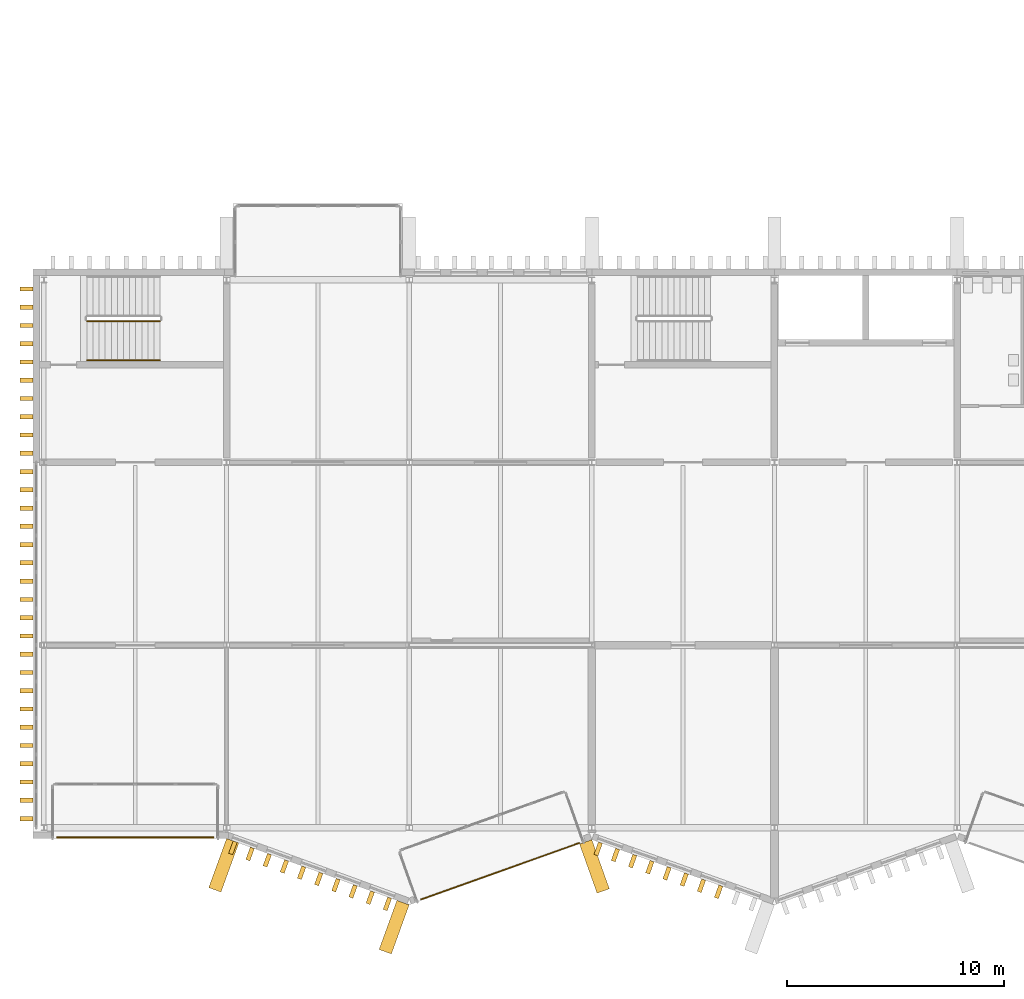
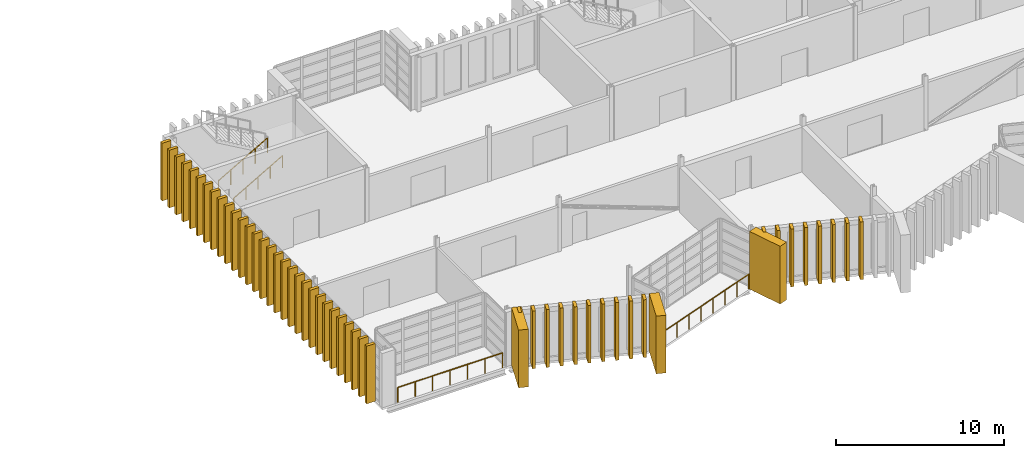
# One storey, part 75 of 88: 51 coverings, 4 railings.
"""IFC4 building model written with IfcOpenShell, lengths in metres."""

from ifc_helpers import new_model, si_unit, direction, frame, origin, origin_2d, place, context, subcontext, project, spatial, rectangle, circle, extrude, material, type_object, element, save


model = new_model("IFC4")

# Units and contexts
model_context = context("Model", 3, precision=1e-05, world=origin(), true_north=direction((0.0, 1.0)))
body_context = subcontext(model_context, "Body", "Model", "MODEL_VIEW")
ifc_project = project(units=[si_unit("LENGTHUNIT", "METRE"), si_unit("AREAUNIT", "SQUARE_METRE"), si_unit("VOLUMEUNIT", "CUBIC_METRE"), si_unit("PLANEANGLEUNIT", "RADIAN"), si_unit("MASSUNIT", "GRAM", prefix="KILO")], contexts=[model_context])

# Site, building, storey
site_placement = place(None, origin())
site = spatial("IfcSite", under=ifc_project, at=site_placement, CompositionType="ELEMENT")
building_placement = place(site_placement, origin())
building = spatial("IfcBuilding", under=site, at=building_placement, Name="Cresset Court Congress Hotel", CompositionType="ELEMENT")
storey_placement = place(building_placement, frame((0.0, 0.0, 14.39990234375)))
storey = spatial("IfcBuildingStorey", under=building, at=storey_placement, Name="L03", CompositionType="ELEMENT", Elevation=14.39990234375)

# Railings
ifc_material_1 = material(Name="Steel and laminated glass", Category="steel")
railing_type_1 = type_object("IfcRailingType", Name="Guard 1100 steel and glass", PredefinedType="GUARDRAIL", material=ifc_material_1)
railing_1_placement = place(storey_placement, frame((10.3798828125, 23.300048828125, 0.16162109375)))
element("IfcRailing", 1, at=railing_1_placement, inside=storey, type_object=railing_type_1, Name="L03 ST-B1 stair guard 1", PredefinedType="GUARDRAIL", context=body_context, shape_type="SweptSolid", body=[
    extrude(circle(Radius=0.02392578125, at=origin_2d()), frame((0.0, 0.0, 1.076171875), z_axis=(0.866190824863, 0.0, 0.499713372768), x_axis=(0.0, 1.0, 0.0)), (0.0, 0.0, 1.0), 3.879150390625),
    extrude(circle(Radius=0.02099609375, at=origin_2d()), origin(), (0.0, 0.0, 1.0), 1.052001953125),
    extrude(circle(Radius=0.02099609375, at=origin_2d()), frame((0.840087890625, 0.0, 0.484619140625)), (0.0, 0.0, 1.0), 1.052001953125),
    extrude(circle(Radius=0.02099609375, at=origin_2d()), frame((1.68017578125, 0.0, 0.96923828125)), (0.0, 0.0, 1.0), 1.052001953125),
    extrude(circle(Radius=0.02099609375, at=origin_2d()), frame((2.52001953125, 0.0, 1.453857421875)), (0.0, 0.0, 1.0), 1.052001953125),
    extrude(circle(Radius=0.02099609375, at=origin_2d()), frame((3.360107421875, 0.0, 1.9384765625)), (0.0, 0.0, 1.0), 1.052001953125),
])
ifc_material_2 = material(Name="Steel and laminated glass", Category="steel")
railing_type_2 = type_object("IfcRailingType", Name="Guard 1100 steel and glass external", PredefinedType="GUARDRAIL", material=ifc_material_2)
railing_2_placement = place(storey_placement, frame((9.0, -0.449951171875, 0.0)))
element("IfcRailing", 2, at=railing_2_placement, inside=storey, type_object=railing_type_2, Name="Guard to recess S0302", PredefinedType="GUARDRAIL", context=body_context, shape_type="SweptSolid", body=[
    extrude(circle(Radius=0.02392578125, at=origin_2d()), frame((0.0, 0.0, 1.076171875), z_axis=(1.0, 0.0, 0.0), x_axis=(0.0, 1.0, 0.0)), (0.0, 0.0, 1.0), 7.199951171875),
    extrude(circle(Radius=0.02099609375, at=origin_2d()), origin(), (0.0, 0.0, 1.0), 1.052001953125),
    extrude(circle(Radius=0.02099609375, at=origin_2d()), frame((1.199951171875, 0.0, 0.0)), (0.0, 0.0, 1.0), 1.052001953125),
    extrude(circle(Radius=0.02099609375, at=origin_2d()), frame((2.39990234375, 0.0, 0.0)), (0.0, 0.0, 1.0), 1.052001953125),
    extrude(circle(Radius=0.02099609375, at=origin_2d()), frame((3.60009765625, 0.0, 0.0)), (0.0, 0.0, 1.0), 1.052001953125),
    extrude(circle(Radius=0.02099609375, at=origin_2d()), frame((4.800048828125, 0.0, 0.0)), (0.0, 0.0, 1.0), 1.052001953125),
    extrude(circle(Radius=0.02099609375, at=origin_2d()), frame((6.0, 0.0, 0.0)), (0.0, 0.0, 1.0), 1.052001953125),
    extrude(circle(Radius=0.02099609375, at=origin_2d()), frame((7.199951171875, 0.0, 0.0)), (0.0, 0.0, 1.0), 1.052001953125),
])
railing_3_placement = place(storey_placement, frame((25.748291015625, -3.301025390625, 0.0)))
element("IfcRailing", 3, at=railing_3_placement, inside=storey, type_object=railing_type_2, Name="Guard to recess S0305", PredefinedType="GUARDRAIL", context=body_context, shape_type="SweptSolid", body=[
    extrude(circle(Radius=0.02392578125, at=origin_2d()), frame((0.0, 0.0, 1.076171875), z_axis=(0.941748351249, 0.336318365422, 0.0), x_axis=(-0.336318365422, 0.941748351249, 0.0)), (0.0, 0.0, 1.0), 7.719482421875),
    extrude(circle(Radius=0.02099609375, at=origin_2d()), origin(), (0.0, 0.0, 1.0), 1.052001953125),
    extrude(circle(Radius=0.02099609375, at=origin_2d()), frame((1.03857421875, 0.370849609375, 0.0)), (0.0, 0.0, 1.0), 1.052001953125),
    extrude(circle(Radius=0.02099609375, at=origin_2d()), frame((2.0771484375, 0.74169921875, 0.0)), (0.0, 0.0, 1.0), 1.052001953125),
    extrude(circle(Radius=0.02099609375, at=origin_2d()), frame((3.11572265625, 1.112548828125, 0.0)), (0.0, 0.0, 1.0), 1.052001953125),
    extrude(circle(Radius=0.02099609375, at=origin_2d()), frame((4.154052734375, 1.483642578125, 0.0)), (0.0, 0.0, 1.0), 1.052001953125),
    extrude(circle(Radius=0.02099609375, at=origin_2d()), frame((5.192626953125, 1.8544921875, 0.0)), (0.0, 0.0, 1.0), 1.052001953125),
    extrude(circle(Radius=0.02099609375, at=origin_2d()), frame((6.231201171875, 2.225341796875, 0.0)), (0.0, 0.0, 1.0), 1.052001953125),
    extrude(circle(Radius=0.02099609375, at=origin_2d()), frame((7.269775390625, 2.59619140625, 0.0)), (0.0, 0.0, 1.0), 1.052001953125),
])
ifc_material_3 = material(Name="Stainless steel", Category="steel")
railing_type_3 = type_object("IfcRailingType", Name="Handrail 48 stainless", PredefinedType="HANDRAIL", material=ifc_material_3)
railing_4_placement = place(storey_placement, frame((10.3798828125, 21.5, 0.16162109375)))
element("IfcRailing", 4, at=railing_4_placement, inside=storey, type_object=railing_type_3, Name="L03 ST-B1 stair handrail 1", PredefinedType="HANDRAIL", context=body_context, shape_type="SweptSolid", body=[
    extrude(circle(Radius=0.02392578125, at=origin_2d()), frame((0.0, 0.0, 0.8759765625), z_axis=(0.866190824863, 0.0, 0.499713372768), x_axis=(0.0, 1.0, 0.0)), (0.0, 0.0, 1.0), 3.879150390625),
    extrude(circle(Radius=0.02099609375, at=origin_2d()), origin(), (0.0, 0.0, 1.0), 0.851806640625),
    extrude(circle(Radius=0.02099609375, at=origin_2d()), frame((0.840087890625, 0.0, 0.484619140625)), (0.0, 0.0, 1.0), 0.851806640625),
    extrude(circle(Radius=0.02099609375, at=origin_2d()), frame((1.68017578125, 0.0, 0.96923828125)), (0.0, 0.0, 1.0), 0.851806640625),
    extrude(circle(Radius=0.02099609375, at=origin_2d()), frame((2.52001953125, 0.0, 1.453857421875)), (0.0, 0.0, 1.0), 0.851806640625),
    extrude(circle(Radius=0.02099609375, at=origin_2d()), frame((3.360107421875, 0.0, 1.9384765625)), (0.0, 0.0, 1.0), 0.851806640625),
])

# Coverings
ifc_material_4 = material(Name="Precast concrete C50", Category="concrete")
covering_type_1 = type_object("IfcCoveringType", Name="Precast stone fin 200x600 variant 1", PredefinedType="CLADDING", material=ifc_material_4)
for number, where, z_axis, x_axis, name in (
    (5, (17.09228515625, -0.92529296875, 0.0), (0.0, 0.0, 1.0), (0.939956783309, -0.341293488819, 0.0), "Fin S03-010"),
    (6, (17.8818359375, -1.2119140625, 0.0), (0.0, 0.0, 1.0), (0.939956783309, -0.341293488819, 0.0), "Fin S03-011"),
    (7, (18.671630859375, -1.498779296875, 0.0), (0.0, 0.0, 1.0), (0.939956783309, -0.341293488819, 0.0), "Fin S03-012"),
    (8, (19.461181640625, -1.785400390625, 0.0), (0.0, 0.0, 1.0), (0.939956783309, -0.341293488819, 0.0), "Fin S03-013"),
    (9, (20.250732421875, -2.072021484375, 0.0), (0.0, 0.0, 1.0), (0.939956783309, -0.341293488819, 0.0), "Fin S03-014"),
    (10, (21.040283203125, -2.358642578125, 0.0), (0.0, 0.0, 1.0), (0.939956783309, -0.341293488819, 0.0), "Fin S03-015"),
    (11, (21.829833984375, -2.6455078125, 0.0), (0.0, 0.0, 1.0), (0.939956783309, -0.341293488819, 0.0), "Fin S03-016"),
    (12, (22.619384765625, -2.93212890625, 0.0), (0.0, 0.0, 1.0), (0.939956783309, -0.341293488819, 0.0), "Fin S03-017"),
    (13, (23.408935546875, -3.21875, 0.0), (0.0, 0.0, 1.0), (0.939956783309, -0.341293488819, 0.0), "Fin S03-018"),
    (14, (24.198486328125, -3.505615234375, 0.0), (0.0, 0.0, 1.0), (0.939956783309, -0.341293488819, 0.0), "Fin S03-019"),
    (15, (33.89453125, -0.973876953125, 0.0), (0.0, 0.0, 1.0), (0.94174205282, -0.336336001568, 0.0), "Fin S03-030"),
    (16, (34.685791015625, -1.25634765625, 0.0), (0.0, 0.0, 1.0), (0.94174205282, -0.336336001568, 0.0), "Fin S03-031"),
    (17, (35.476806640625, -1.538818359375, 0.0), (0.0, 0.0, 1.0), (0.94174205282, -0.336336001568, 0.0), "Fin S03-032"),
    (18, (36.267822265625, -1.8212890625, 0.0), (0.0, 0.0, 1.0), (0.94174205282, -0.336336001568, 0.0), "Fin S03-033"),
    (19, (37.058837890625, -2.103759765625, 0.0), (0.0, 0.0, 1.0), (0.94174205282, -0.336336001568, 0.0), "Fin S03-034"),
    (20, (37.849853515625, -2.386474609375, 0.0), (0.0, 0.0, 1.0), (0.94174205282, -0.336336001568, 0.0), "Fin S03-035"),
    (21, (38.64111328125, -2.6689453125, 0.0), (0.0, 0.0, 1.0), (0.94174205282, -0.336336001568, 0.0), "Fin S03-036"),
    (22, (39.43212890625, -2.951416015625, 0.0), (0.0, 0.0, 1.0), (0.94174205282, -0.336336001568, 0.0), "Fin S03-037"),
):
    element("IfcCovering", number, at=place(storey_placement, frame(where, z_axis=z_axis, x_axis=x_axis)), inside=storey, type_object=covering_type_1, Name=name, PredefinedType="CLADDING", context=body_context, shape_type="SweptSolid", body=[
        extrude(rectangle(XDim=0.199951171875, YDim=0.60009765625, at=origin_2d()), origin(), (0.0, 0.0, 1.0), 4.199951171875),
    ])
for number, where, z_axis, x_axis, name in (
    (23, (7.60009765625, 0.419921875, 0.0), (0.0, 0.0, 1.0), (1.0, 0.0, 0.0), "Fin W03-000"),
    (24, (7.60009765625, 1.260009765625, 0.0), (0.0, 0.0, 1.0), (1.0, 0.0, 0.0), "Fin W03-001"),
    (25, (7.60009765625, 2.10009765625, 0.0), (0.0, 0.0, 1.0), (1.0, 0.0, 0.0), "Fin W03-002"),
    (26, (7.60009765625, 2.93994140625, 0.0), (0.0, 0.0, 1.0), (1.0, 0.0, 0.0), "Fin W03-003"),
    (27, (7.60009765625, 3.780029296875, 0.0), (0.0, 0.0, 1.0), (1.0, 0.0, 0.0), "Fin W03-004"),
    (28, (7.60009765625, 4.6201171875, 0.0), (0.0, 0.0, 1.0), (1.0, 0.0, 0.0), "Fin W03-005"),
    (29, (7.60009765625, 5.4599609375, 0.0), (0.0, 0.0, 1.0), (1.0, 0.0, 0.0), "Fin W03-006"),
    (30, (7.60009765625, 6.300048828125, 0.0), (0.0, 0.0, 1.0), (1.0, 0.0, 0.0), "Fin W03-007"),
    (31, (7.60009765625, 7.139892578125, 0.0), (0.0, 0.0, 1.0), (1.0, 0.0, 0.0), "Fin W03-008"),
    (32, (7.60009765625, 7.97998046875, 0.0), (0.0, 0.0, 1.0), (1.0, 0.0, 0.0), "Fin W03-009"),
    (33, (7.60009765625, 8.820068359375, 0.0), (0.0, 0.0, 1.0), (1.0, 0.0, 0.0), "Fin W03-010"),
    (34, (7.60009765625, 9.659912109375, 0.0), (0.0, 0.0, 1.0), (1.0, 0.0, 0.0), "Fin W03-011"),
    (35, (7.60009765625, 10.5, 0.0), (0.0, 0.0, 1.0), (1.0, 0.0, 0.0), "Fin W03-012"),
    (36, (7.60009765625, 11.340087890625, 0.0), (0.0, 0.0, 1.0), (1.0, 0.0, 0.0), "Fin W03-013"),
    (37, (7.60009765625, 12.179931640625, 0.0), (0.0, 0.0, 1.0), (1.0, 0.0, 0.0), "Fin W03-014"),
    (38, (7.60009765625, 13.02001953125, 0.0), (0.0, 0.0, 1.0), (1.0, 0.0, 0.0), "Fin W03-015"),
    (39, (7.60009765625, 13.860107421875, 0.0), (0.0, 0.0, 1.0), (1.0, 0.0, 0.0), "Fin W03-016"),
    (40, (7.60009765625, 14.699951171875, 0.0), (0.0, 0.0, 1.0), (1.0, 0.0, 0.0), "Fin W03-017"),
    (41, (7.60009765625, 15.5400390625, 0.0), (0.0, 0.0, 1.0), (1.0, 0.0, 0.0), "Fin W03-018"),
    (42, (7.60009765625, 16.3798828125, 0.0), (0.0, 0.0, 1.0), (1.0, 0.0, 0.0), "Fin W03-019"),
    (43, (7.60009765625, 17.219970703125, 0.0), (0.0, 0.0, 1.0), (1.0, 0.0, 0.0), "Fin W03-020"),
    (44, (7.60009765625, 18.06005859375, 0.0), (0.0, 0.0, 1.0), (1.0, 0.0, 0.0), "Fin W03-021"),
    (45, (7.60009765625, 18.89990234375, 0.0), (0.0, 0.0, 1.0), (1.0, 0.0, 0.0), "Fin W03-022"),
    (46, (7.60009765625, 19.739990234375, 0.0), (0.0, 0.0, 1.0), (1.0, 0.0, 0.0), "Fin W03-023"),
    (47, (7.60009765625, 20.580078125, 0.0), (0.0, 0.0, 1.0), (1.0, 0.0, 0.0), "Fin W03-024"),
    (48, (7.60009765625, 21.419921875, 0.0), (0.0, 0.0, 1.0), (1.0, 0.0, 0.0), "Fin W03-025"),
    (49, (7.60009765625, 22.260009765625, 0.0), (0.0, 0.0, 1.0), (1.0, 0.0, 0.0), "Fin W03-026"),
    (50, (7.60009765625, 23.10009765625, 0.0), (0.0, 0.0, 1.0), (1.0, 0.0, 0.0), "Fin W03-027"),
    (51, (7.60009765625, 23.93994140625, 0.0), (0.0, 0.0, 1.0), (1.0, 0.0, 0.0), "Fin W03-028"),
    (52, (7.60009765625, 24.780029296875, 0.0), (0.0, 0.0, 1.0), (1.0, 0.0, 0.0), "Fin W03-029"),
):
    element("IfcCovering", number, at=place(storey_placement, frame(where, z_axis=z_axis, x_axis=x_axis)), inside=storey, type_object=covering_type_1, Name=name, PredefinedType="CLADDING", context=body_context, shape_type="SweptSolid", body=[
        extrude(rectangle(XDim=0.60009765625, YDim=0.199951171875, at=origin_2d()), origin(), (0.0, 0.0, 1.0), 4.199951171875),
    ])
ifc_material_5 = material(Name="Precast concrete C50", Category="concrete")
covering_type_2 = type_object("IfcCoveringType", Name="Precast stone pier 600x2400", PredefinedType="CLADDING", material=ifc_material_5)
for number, where, z_axis, x_axis, name in (
    (53, (24.508544921875, -4.575439453125, 0.0), (0.0, 0.0, 1.0), (0.939956783309, -0.341293488819, 0.0), "Pier S03-02"),
    (54, (16.67236328125, -1.730224609375, 0.0), (0.0, 0.0, 1.0), (0.939956783309, -0.341293488819, 0.0), "Pier S03-01"),
    (55, (33.72119140625, -1.781005859375, 0.0), (0.0, 0.0, 1.0), (0.94174205282, 0.336336001568, 0.0), "Pier S03-03"),
):
    element("IfcCovering", number, at=place(storey_placement, frame(where, z_axis=z_axis, x_axis=x_axis)), inside=storey, type_object=covering_type_2, Name=name, PredefinedType="CLADDING", context=body_context, shape_type="SweptSolid", body=[
        extrude(rectangle(XDim=0.60009765625, YDim=2.39990234375, at=origin_2d()), origin(), (0.0, 0.0, 1.0), 4.199951171875),
    ])

save(model, "model.ifc")
